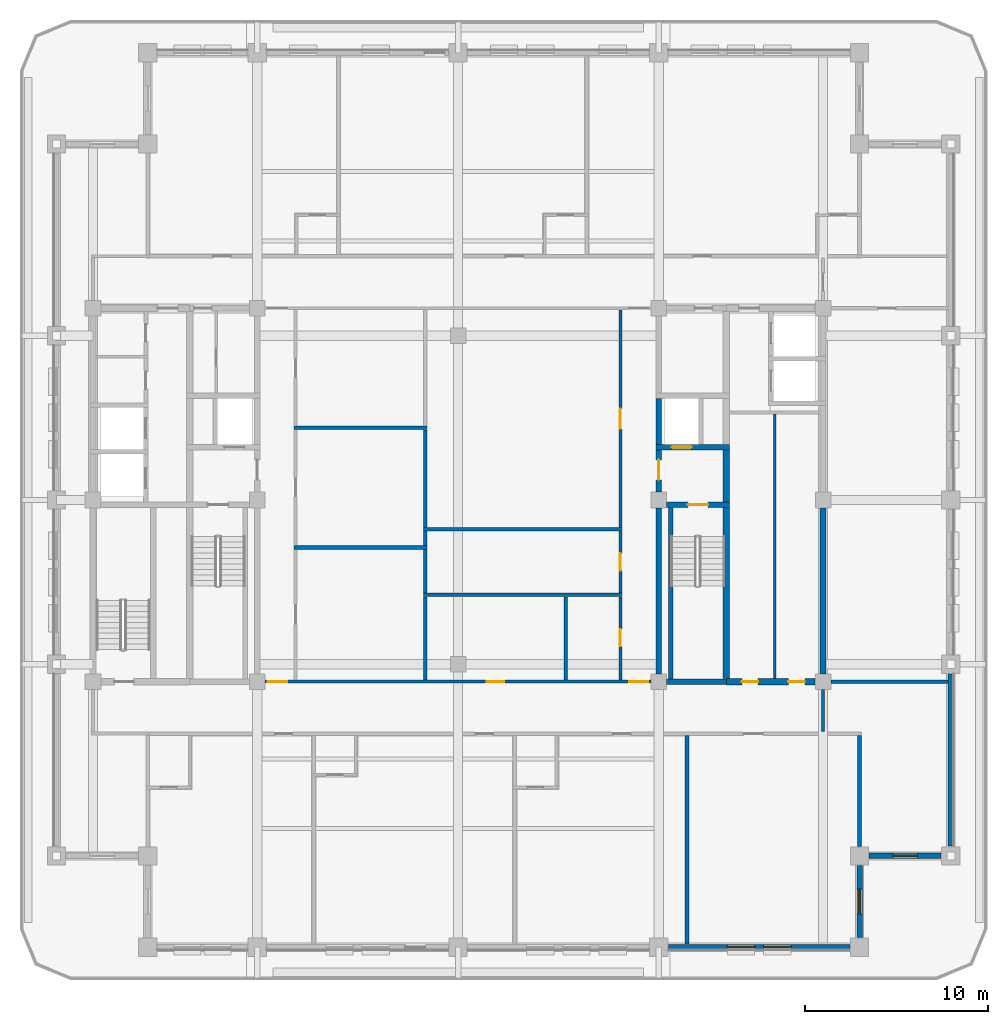
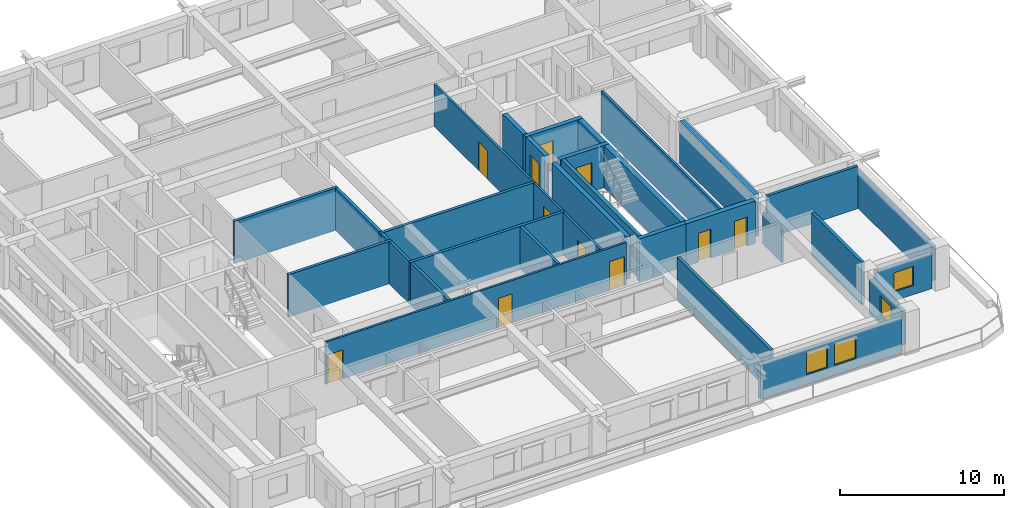
# One storey, part 4 of 13: 33 walls, 11 doors, 4 windows, 15 openings.
"""IFC4 building model written with IfcOpenShell, lengths in metres."""

from ifc_helpers import new_model, si_unit, direction, frame, frame_2d, origin, place, context, subcontext, project, spatial, rectangle, extrude, material, layer, layer_set, type_object, element, fill, save


model = new_model("IFC4")

# Units and contexts
model_context = context("Model", 3, precision=1e-05, world=origin(), true_north=direction((0.0, 1.0)))
body_context = subcontext(model_context, "Body", "Model", "MODEL_VIEW")
ifc_project = project(units=[si_unit("LENGTHUNIT", "METRE"), si_unit("AREAUNIT", "SQUARE_METRE"), si_unit("VOLUMEUNIT", "CUBIC_METRE"), si_unit("PLANEANGLEUNIT", "RADIAN"), si_unit("MASSUNIT", "GRAM", prefix="KILO")], contexts=[model_context])

# Site, building, storey
site_placement = place(None, origin())
site = spatial("IfcSite", under=ifc_project, at=site_placement, CompositionType="ELEMENT")
building_placement = place(site_placement, origin())
building = spatial("IfcBuilding", under=site, at=building_placement, Name="Zulmaris Gate Convention Tower", CompositionType="ELEMENT")
storey_placement = place(building_placement, frame((0.0, 0.0, 169.4599609375)))
storey = spatial("IfcBuildingStorey", under=building, at=storey_placement, Name="L43", CompositionType="ELEMENT", Elevation=169.4599609375)

# Walls
ifc_material_1 = material(Name="Concrete C50/60", Category="concrete")
ifc_layer_1 = layer(ifc_material_1, 0.25, Name="Concrete C50/60")
ifc_layer_set_1 = layer_set([ifc_layer_1], Name="Concrete C50/60")
wall_type_1 = type_object("IfcWallType", Name="CORE-250", PredefinedType="SOLIDWALL", material=ifc_layer_set_1)
wall_1_placement = place(storey_placement, frame((11.64990234375, -9.798095703125, 0.0), z_axis=(0.0, 0.0, 1.0), x_axis=(0.0, 1.0, 0.0)))
element("IfcWall", 1, at=wall_1_placement, inside=storey, type_object=wall_type_1, Name="WL-L43-061", PredefinedType="SOLIDWALL", context=body_context, shape_type="SweptSolid", body=[
    extrude(rectangle(XDim=9.39599609375, YDim=0.25, at=frame_2d((4.697998046875, 0.0))), origin(), (0.0, 0.0, 1.0), 3.14990234375),
])
ifc_layer_2 = layer(ifc_material_1, 0.300048828125, Name="Concrete C50/60")
ifc_layer_set_2 = layer_set([ifc_layer_2], Name="Concrete C50/60")
wall_type_2 = type_object("IfcWallType", Name="CORE-300", PredefinedType="SHEAR", material=ifc_layer_set_2)
wall_2_placement = place(storey_placement, frame((11.428955078125, -9.949951171875, 0.0), z_axis=(0.0, 0.0, 1.0), x_axis=(1.0, 0.0, 0.0)))
element("IfcWall", 2, at=wall_2_placement, inside=storey, type_object=wall_type_2, Name="WL-L43-003", PredefinedType="SHEAR", context=body_context, shape_type="SweptSolid", body=[
    extrude(rectangle(XDim=3.27099609375, YDim=0.300048828125, at=frame_2d((1.635498046875, 0.0))), origin(), (0.0, 0.0, 1.0), 3.14990234375),
])

# Wall, opening, door
wall_3_placement = place(storey_placement, frame((11.428955078125, -0.25, 0.0), z_axis=(0.0, 0.0, 1.0), x_axis=(1.0, 0.0, 0.0)))
wall_3 = element("IfcWall", 3, at=wall_3_placement, inside=storey, type_object=wall_type_2, Name="WL-L43-006", PredefinedType="SHEAR", context=body_context, shape_type="SweptSolid", body=[
    extrude(rectangle(XDim=3.446044921875, YDim=0.300048828125, at=frame_2d((1.72314453125, 0.0))), origin(), (0.0, 0.0, 1.0), 3.14990234375),
])
opening_1_placement = place(wall_3_placement, frame((1.1708984375, 0.0, 0.0)))
opening_1 = element("IfcOpeningElement", 4, at=opening_1_placement, cuts=wall_3, Name="Opening D-08", PredefinedType="OPENING", context=body_context, shape_type="SweptSolid", body=[
    extrude(rectangle(XDim=1.10009765625, YDim=2.14990234375, at=frame_2d((0.550048828125, 1.074951171875))), frame((0.0, 0.16015625, 0.0), z_axis=(0.0, -1.0, 0.0), x_axis=(1.0, 0.0, 0.0)), (0.0, 0.0, 1.0), 0.320068359375),
])
ifc_material_2 = material(Name="Fire-Rated Steel", Category="steel")
door_type_1 = type_object("IfcDoorType", Name="DR-1100-FD", OperationType="NOTDEFINED", PredefinedType="DOOR", material=ifc_material_2)
door_1_placement = place(opening_1_placement, origin())
door_1 = element("IfcDoor", 5, at=door_1_placement, inside=storey, type_object=door_type_1, Name="L43 Exit Stair ST-2 Door 04", OperationType="SINGLE_SWING_RIGHT", OverallHeight=2.14990234375, OverallWidth=1.10009765625, PredefinedType="DOOR", context=body_context, shape_type="SweptSolid", body=[
    extrude(rectangle(XDim=1.10009765625, YDim=2.14990234375, at=frame_2d((0.550048828125, 1.074951171875))), frame((0.0, 0.02490234375, 0.0), z_axis=(0.0, -1.0, 0.0), x_axis=(1.0, 0.0, 0.0)), (0.0, 0.0, 1.0), 0.050048828125),
])
fill(opening_1, door_1)

wall_4_placement = place(storey_placement, frame((10.85009765625, 2.89990234375, 0.0), z_axis=(0.0, 0.0, 1.0), x_axis=(1.0, 0.0, 0.0)))
wall_4 = element("IfcWall", 6, at=wall_4_placement, inside=storey, type_object=wall_type_2, Name="WL-L43-009", PredefinedType="SHEAR", context=body_context, shape_type="SweptSolid", body=[
    extrude(rectangle(XDim=4.02490234375, YDim=0.300048828125, at=frame_2d((2.012451171875, 0.0))), origin(), (0.0, 0.0, 1.0), 3.14990234375),
])
opening_2_placement = place(wall_4_placement, frame((0.85009765625, 0.0, 0.0)))
opening_2 = element("IfcOpeningElement", 7, at=opening_2_placement, cuts=wall_4, Name="Opening D-06", PredefinedType="OPENING", context=body_context, shape_type="SweptSolid", body=[
    extrude(rectangle(XDim=1.10009765625, YDim=2.199951171875, at=frame_2d((0.550048828125, 1.10009765625))), frame((0.0, 0.16015625, 0.0), z_axis=(0.0, -1.0, 0.0), x_axis=(1.0, 0.0, 0.0)), (0.0, 0.0, 1.0), 0.320068359375),
])
ifc_material_3 = material(Name="Brushed Stainless Steel", Category="steel")
door_type_2 = type_object("IfcDoorType", Name="LD-1100", OperationType="NOTDEFINED", PredefinedType="DOOR", material=ifc_material_3)
door_2_placement = place(opening_2_placement, origin())
door_2 = element("IfcDoor", 8, at=door_2_placement, inside=storey, type_object=door_type_2, Name="L43 Lift Landing Door LF-02 06", OperationType="SLIDING_TO_RIGHT", OverallHeight=2.199951171875, OverallWidth=1.10009765625, PredefinedType="DOOR", context=body_context, shape_type="SweptSolid", body=[
    extrude(rectangle(XDim=1.10009765625, YDim=2.199951171875, at=frame_2d((0.550048828125, 1.10009765625))), frame((0.0, 0.02490234375, 0.0), z_axis=(0.0, -1.0, 0.0), x_axis=(1.0, 0.0, 0.0)), (0.0, 0.0, 1.0), 0.050048828125),
])
fill(opening_2, door_2)

# Wall
wall_5_placement = place(storey_placement, frame((11.0, -9.52099609375, 0.0), z_axis=(0.0, 0.0, 1.0), x_axis=(0.0, 1.0, 0.0)))
element("IfcWall", 9, at=wall_5_placement, inside=storey, type_object=wall_type_2, Name="WL-L43-057", PredefinedType="SHEAR", context=body_context, shape_type="SweptSolid", body=[
    extrude(rectangle(XDim=9.092041015625, YDim=0.300048828125, at=frame_2d((4.5458984375, 0.0))), origin(), (0.0, 0.0, 1.0), 3.14990234375),
])

# Wall, opening, door
wall_6_placement = place(storey_placement, frame((11.0, 0.428955078125, 0.0), z_axis=(0.0, 0.0, 1.0), x_axis=(0.0, 1.0, 0.0)))
wall_6 = element("IfcWall", 10, at=wall_6_placement, inside=storey, type_object=wall_type_2, Name="WL-L43-058", PredefinedType="SHEAR", context=body_context, shape_type="SweptSolid", body=[
    extrude(rectangle(XDim=2.319091796875, YDim=0.300048828125, at=frame_2d((1.15966796875, 0.0))), origin(), (0.0, 0.0, 1.0), 3.14990234375),
])
opening_3_placement = place(wall_6_placement, frame((0.6708984375, 0.0, 0.0)))
opening_3 = element("IfcOpeningElement", 11, at=opening_3_placement, cuts=wall_6, Name="Opening D-08", PredefinedType="OPENING", context=body_context, shape_type="SweptSolid", body=[
    extrude(rectangle(XDim=1.10009765625, YDim=2.14990234375, at=frame_2d((0.550048828125, 1.074951171875))), frame((0.0, 0.16015625, 0.0), z_axis=(0.0, -1.0, 0.0), x_axis=(1.0, 0.0, 0.0)), (0.0, 0.0, 1.0), 0.320068359375),
])
door_3_placement = place(opening_3_placement, origin())
door_3 = element("IfcDoor", 12, at=door_3_placement, inside=storey, type_object=door_type_1, Name="L43 East Firefighting Lobby Door 05", OperationType="SINGLE_SWING_LEFT", OverallHeight=2.14990234375, OverallWidth=1.10009765625, PredefinedType="DOOR", context=body_context, shape_type="SweptSolid", body=[
    extrude(rectangle(XDim=1.10009765625, YDim=2.14990234375, at=frame_2d((0.550048828125, 1.074951171875))), frame((0.0, 0.02490234375, 0.0), z_axis=(0.0, -1.0, 0.0), x_axis=(1.0, 0.0, 0.0)), (0.0, 0.0, 1.0), 0.050048828125),
])
fill(opening_3, door_3)

# Wall
wall_7_placement = place(storey_placement, frame((11.0, 3.052001953125, 0.0), z_axis=(0.0, 0.0, 1.0), x_axis=(0.0, 1.0, 0.0)))
element("IfcWall", 13, at=wall_7_placement, inside=storey, type_object=wall_type_2, Name="WL-L43-059", PredefinedType="SHEAR", context=body_context, shape_type="SweptSolid", body=[
    extrude(rectangle(XDim=2.49609375, YDim=0.300048828125, at=frame_2d((1.248046875, 0.0))), origin(), (0.0, 0.0, 1.0), 3.14990234375),
])

# Wall, openings, doors
ifc_material_4 = material(Name="Concrete C55/67", Category="concrete")
ifc_layer_3 = layer(ifc_material_4, 0.35009765625, Name="Concrete C55/67")
ifc_layer_set_3 = layer_set([ifc_layer_3], Name="Concrete C55/67")
wall_type_3 = type_object("IfcWallType", Name="CORE-350", PredefinedType="SHEAR", material=ifc_layer_set_3)
wall_8_placement = place(storey_placement, frame((14.699951171875, -9.949951171875, 0.0), z_axis=(0.0, 0.0, 1.0), x_axis=(1.0, 0.0, 0.0)))
wall_8 = element("IfcWall", 14, at=wall_8_placement, inside=storey, type_object=wall_type_3, Name="WL-L43-004", PredefinedType="SHEAR", context=body_context, shape_type="SweptSolid", body=[
    extrude(rectangle(XDim=4.87109375, YDim=0.35009765625, at=frame_2d((2.435546875, 0.0))), origin(), (0.0, 0.0, 1.0), 3.14990234375),
])
opening_4_placement = place(wall_8_placement, frame((0.85009765625, 0.0, 0.0)))
opening_4 = element("IfcOpeningElement", 15, at=opening_4_placement, cuts=wall_8, Name="Opening D-12", PredefinedType="OPENING", context=body_context, shape_type="SweptSolid", body=[
    extrude(rectangle(XDim=0.89990234375, YDim=2.14990234375, at=frame_2d((0.449951171875, 1.074951171875))), frame((0.0, 0.18505859375, 0.0), z_axis=(0.0, -1.0, 0.0), x_axis=(1.0, 0.0, 0.0)), (0.0, 0.0, 1.0), 0.3701171875),
])
opening_5_placement = place(wall_8_placement, frame((3.39990234375, 0.0, 0.0)))
opening_5 = element("IfcOpeningElement", 16, at=opening_5_placement, cuts=wall_8, Name="Opening D-12", PredefinedType="OPENING", context=body_context, shape_type="SweptSolid", body=[
    extrude(rectangle(XDim=0.89990234375, YDim=2.14990234375, at=frame_2d((0.449951171875, 1.074951171875))), frame((0.0, 0.18505859375, 0.0), z_axis=(0.0, -1.0, 0.0), x_axis=(1.0, 0.0, 0.0)), (0.0, 0.0, 1.0), 0.3701171875),
])
ifc_material_5 = material(Name="Fire-Rated Timber", Category="wood")
door_type_3 = type_object("IfcDoorType", Name="DR-900-FD", OperationType="NOTDEFINED", PredefinedType="DOOR", material=ifc_material_5)
door_4_placement = place(opening_4_placement, origin())
door_4 = element("IfcDoor", 17, at=door_4_placement, inside=storey, type_object=door_type_3, Name="L43 Service Pantry Door 19", OperationType="SINGLE_SWING_RIGHT", OverallHeight=2.14990234375, OverallWidth=0.89990234375, PredefinedType="DOOR", context=body_context, shape_type="SweptSolid", body=[
    extrude(rectangle(XDim=0.89990234375, YDim=2.14990234375, at=frame_2d((0.449951171875, 1.074951171875))), frame((0.0, 0.02490234375, 0.0), z_axis=(0.0, -1.0, 0.0), x_axis=(1.0, 0.0, 0.0)), (0.0, 0.0, 1.0), 0.050048828125),
])
fill(opening_4, door_4)
door_5_placement = place(opening_5_placement, origin())
door_5 = element("IfcDoor", 18, at=door_5_placement, inside=storey, type_object=door_type_3, Name="L43 Linen Store Door 20", OperationType="SINGLE_SWING_LEFT", OverallHeight=2.14990234375, OverallWidth=0.89990234375, PredefinedType="DOOR", context=body_context, shape_type="SweptSolid", body=[
    extrude(rectangle(XDim=0.89990234375, YDim=2.14990234375, at=frame_2d((0.449951171875, 1.074951171875))), frame((0.0, 0.02490234375, 0.0), z_axis=(0.0, -1.0, 0.0), x_axis=(1.0, 0.0, 0.0)), (0.0, 0.0, 1.0), 0.050048828125),
])
fill(opening_5, door_5)

# Walls
wall_9_placement = place(storey_placement, frame((14.699951171875, -9.77294921875, 0.0), z_axis=(0.0, 0.0, 1.0), x_axis=(0.0, 1.0, 0.0)))
element("IfcWall", 19, at=wall_9_placement, inside=storey, type_object=wall_type_3, Name="WL-L43-063", PredefinedType="SHEAR", context=body_context, shape_type="SweptSolid", body=[
    extrude(rectangle(XDim=9.370849609375, YDim=0.35009765625, at=frame_2d((4.685546875, 0.0))), origin(), (0.0, 0.0, 1.0), 3.14990234375),
])
wall_10_placement = place(storey_placement, frame((14.699951171875, -0.097900390625, 0.0), z_axis=(0.0, 0.0, 1.0), x_axis=(0.0, 1.0, 0.0)))
element("IfcWall", 20, at=wall_10_placement, inside=storey, type_object=wall_type_3, Name="WL-L43-064", PredefinedType="SHEAR", context=body_context, shape_type="SweptSolid", body=[
    extrude(rectangle(XDim=2.845947265625, YDim=0.35009765625, at=frame_2d((1.4228515625, 0.0))), origin(), (0.0, 0.0, 1.0), 3.14990234375),
])
wall_11_placement = place(storey_placement, frame((20.0, -9.52099609375, 0.0), z_axis=(0.0, 0.0, 1.0), x_axis=(0.0, 1.0, 0.0)))
element("IfcWall", 21, at=wall_11_placement, inside=storey, type_object=wall_type_3, Name="WL-L43-069", PredefinedType="SHEAR", context=body_context, shape_type="SweptSolid", body=[
    extrude(rectangle(XDim=9.092041015625, YDim=0.35009765625, at=frame_2d((4.5458984375, 0.0))), origin(), (0.0, 0.0, 1.0), 3.14990234375),
])

# Wall, openings, doors
ifc_material_6 = material(Name="Gypsum Metal Stud Partition")
ifc_layer_4 = layer(ifc_material_6, 0.14990234375, Name="Gypsum Metal Stud Partition")
ifc_layer_set_4 = layer_set([ifc_layer_4], Name="Gypsum Metal Stud Partition")
wall_type_4 = type_object("IfcWallType", Name="PART-150", PredefinedType="PARTITIONING", material=ifc_layer_set_4)
wall_12_placement = place(storey_placement, frame((-10.569091796875, -9.949951171875, 0.0), z_axis=(0.0, 0.0, 1.0), x_axis=(1.0, 0.0, 0.0)))
wall_12 = element("IfcWall", 22, at=wall_12_placement, inside=storey, type_object=wall_type_4, Name="WL-L43-024", PredefinedType="PARTITIONING", context=body_context, shape_type="SweptSolid", body=[
    extrude(rectangle(XDim=21.13818359375, YDim=0.14990234375, at=frame_2d((10.569091796875, 0.0))), origin(), (0.0, 0.0, 1.0), 3.14990234375),
])
opening_6_placement = place(wall_12_placement, frame((0.14990234375, 0.0, 0.0)))
opening_6 = element("IfcOpeningElement", 23, at=opening_6_placement, cuts=wall_12, Name="Opening D-09", PredefinedType="OPENING", context=body_context, shape_type="SweptSolid", body=[
    extrude(rectangle(XDim=1.050048828125, YDim=2.14990234375, at=frame_2d((0.52490234375, 1.074951171875))), frame((0.0, 0.0849609375, 0.0), z_axis=(0.0, -1.0, 0.0), x_axis=(1.0, 0.0, 0.0)), (0.0, 0.0, 1.0), 0.169921875),
])
opening_7_placement = place(wall_12_placement, frame((19.93798828125, 0.0, 0.0)))
opening_7 = element("IfcOpeningElement", 24, at=opening_7_placement, cuts=wall_12, Name="Opening D-09", PredefinedType="OPENING", context=body_context, shape_type="SweptSolid", body=[
    extrude(rectangle(XDim=1.050048828125, YDim=2.14990234375, at=frame_2d((0.52490234375, 1.074951171875))), frame((0.0, 0.0849609375, 0.0), z_axis=(0.0, -1.0, 0.0), x_axis=(1.0, 0.0, 0.0)), (0.0, 0.0, 1.0), 0.169921875),
])
opening_8_placement = place(wall_12_placement, frame((12.14404296875, 0.0, 0.0)))
opening_8 = element("IfcOpeningElement", 25, at=opening_8_placement, cuts=wall_12, Name="Opening D-11", PredefinedType="OPENING", context=body_context, shape_type="SweptSolid", body=[
    extrude(rectangle(XDim=0.949951171875, YDim=2.14990234375, at=frame_2d((0.47509765625, 1.074951171875))), frame((0.0, 0.0849609375, 0.0), z_axis=(0.0, -1.0, 0.0), x_axis=(1.0, 0.0, 0.0)), (0.0, 0.0, 1.0), 0.169921875),
])
door_type_4 = type_object("IfcDoorType", Name="DR-1050-FD", OperationType="NOTDEFINED", PredefinedType="DOOR", material=ifc_material_2)
door_6_placement = place(opening_6_placement, origin())
door_6 = element("IfcDoor", 26, at=door_6_placement, inside=storey, type_object=door_type_4, Name="L43 SW Hotel Loop Door 22", OperationType="SINGLE_SWING_LEFT", OverallHeight=2.14990234375, OverallWidth=1.050048828125, PredefinedType="DOOR", context=body_context, shape_type="SweptSolid", body=[
    extrude(rectangle(XDim=1.050048828125, YDim=2.14990234375, at=frame_2d((0.52490234375, 1.074951171875))), frame((0.0, 0.02490234375, 0.0), z_axis=(0.0, -1.0, 0.0), x_axis=(1.0, 0.0, 0.0)), (0.0, 0.0, 1.0), 0.050048828125),
])
fill(opening_6, door_6)
door_7_placement = place(opening_7_placement, origin())
door_7 = element("IfcDoor", 27, at=door_7_placement, inside=storey, type_object=door_type_4, Name="L43 SE Hotel Loop Door 24", OperationType="SINGLE_SWING_LEFT", OverallHeight=2.14990234375, OverallWidth=1.050048828125, PredefinedType="DOOR", context=body_context, shape_type="SweptSolid", body=[
    extrude(rectangle(XDim=1.050048828125, YDim=2.14990234375, at=frame_2d((0.52490234375, 1.074951171875))), frame((0.0, 0.02490234375, 0.0), z_axis=(0.0, -1.0, 0.0), x_axis=(1.0, 0.0, 0.0)), (0.0, 0.0, 1.0), 0.050048828125),
])
fill(opening_7, door_7)
door_type_5 = type_object("IfcDoorType", Name="DR-950-FD", OperationType="NOTDEFINED", PredefinedType="DOOR", material=ifc_material_5)
door_8_placement = place(opening_8_placement, origin())
door_8 = element("IfcDoor", 28, at=door_8_placement, inside=storey, type_object=door_type_5, Name="L43 Staging Store Door 44", OperationType="SINGLE_SWING_LEFT", OverallHeight=2.14990234375, OverallWidth=0.949951171875, PredefinedType="DOOR", context=body_context, shape_type="SweptSolid", body=[
    extrude(rectangle(XDim=0.949951171875, YDim=2.14990234375, at=frame_2d((0.47509765625, 1.074951171875))), frame((0.0, 0.02490234375, 0.0), z_axis=(0.0, -1.0, 0.0), x_axis=(1.0, 0.0, 0.0)), (0.0, 0.0, 1.0), 0.050048828125),
])
fill(opening_8, door_8)

# Wall, opening, door
wall_13_placement = place(storey_placement, frame((8.89990234375, -9.8720703125, 0.0), z_axis=(0.0, 0.0, 1.0), x_axis=(0.0, 1.0, 0.0)))
wall_13 = element("IfcWall", 29, at=wall_13_placement, inside=storey, type_object=wall_type_4, Name="WL-L43-102", PredefinedType="PARTITIONING", context=body_context, shape_type="SweptSolid", body=[
    extrude(rectangle(XDim=4.569091796875, YDim=0.14990234375, at=frame_2d((2.28466796875, 0.0))), origin(), (0.0, 0.0, 1.0), 3.14990234375),
])
opening_9_placement = place(wall_13_placement, frame((1.846923828125, 0.0, 0.0)))
opening_9 = element("IfcOpeningElement", 30, at=opening_9_placement, cuts=wall_13, Name="Opening D-11", PredefinedType="OPENING", context=body_context, shape_type="SweptSolid", body=[
    extrude(rectangle(XDim=0.949951171875, YDim=2.14990234375, at=frame_2d((0.47509765625, 1.074951171875))), frame((0.0, 0.0849609375, 0.0), z_axis=(0.0, -1.0, 0.0), x_axis=(1.0, 0.0, 0.0)), (0.0, 0.0, 1.0), 0.169921875),
])
door_9_placement = place(opening_9_placement, origin())
door_9 = element("IfcDoor", 31, at=door_9_placement, inside=storey, type_object=door_type_5, Name="L43 Accessible WC Door 43", OperationType="SINGLE_SWING_RIGHT", OverallHeight=2.14990234375, OverallWidth=0.949951171875, PredefinedType="DOOR", context=body_context, shape_type="SweptSolid", body=[
    extrude(rectangle(XDim=0.949951171875, YDim=2.14990234375, at=frame_2d((0.47509765625, 1.074951171875))), frame((0.0, 0.02490234375, 0.0), z_axis=(0.0, -1.0, 0.0), x_axis=(1.0, 0.0, 0.0)), (0.0, 0.0, 1.0), 0.050048828125),
])
fill(opening_9, door_9)

wall_14_placement = place(storey_placement, frame((8.89990234375, -5.096923828125, 0.0), z_axis=(0.0, 0.0, 1.0), x_axis=(0.0, 1.0, 0.0)))
wall_14 = element("IfcWall", 32, at=wall_14_placement, inside=storey, type_object=wall_type_4, Name="WL-L43-103", PredefinedType="PARTITIONING", context=body_context, shape_type="SweptSolid", body=[
    extrude(rectangle(XDim=3.39404296875, YDim=0.14990234375, at=frame_2d((1.697021484375, 0.0))), origin(), (0.0, 0.0, 1.0), 3.14990234375),
])
opening_10_placement = place(wall_14_placement, frame((1.221923828125, 0.0, 0.0)))
opening_10 = element("IfcOpeningElement", 33, at=opening_10_placement, cuts=wall_14, Name="Opening D-11", PredefinedType="OPENING", context=body_context, shape_type="SweptSolid", body=[
    extrude(rectangle(XDim=0.949951171875, YDim=2.14990234375, at=frame_2d((0.47509765625, 1.074951171875))), frame((0.0, 0.0849609375, 0.0), z_axis=(0.0, -1.0, 0.0), x_axis=(1.0, 0.0, 0.0)), (0.0, 0.0, 1.0), 0.169921875),
])
door_10_placement = place(opening_10_placement, origin())
door_10 = element("IfcDoor", 34, at=door_10_placement, inside=storey, type_object=door_type_5, Name="L43 Public WC Door 42", OperationType="SINGLE_SWING_LEFT", OverallHeight=2.14990234375, OverallWidth=0.949951171875, PredefinedType="DOOR", context=body_context, shape_type="SweptSolid", body=[
    extrude(rectangle(XDim=0.949951171875, YDim=2.14990234375, at=frame_2d((0.47509765625, 1.074951171875))), frame((0.0, 0.02490234375, 0.0), z_axis=(0.0, -1.0, 0.0), x_axis=(1.0, 0.0, 0.0)), (0.0, 0.0, 1.0), 0.050048828125),
])
fill(opening_10, door_10)

wall_15_placement = place(storey_placement, frame((8.89990234375, -1.4970703125, 0.0), z_axis=(0.0, 0.0, 1.0), x_axis=(0.0, 1.0, 0.0)))
wall_15 = element("IfcWall", 35, at=wall_15_placement, inside=storey, type_object=wall_type_4, Name="WL-L43-104", PredefinedType="PARTITIONING", context=body_context, shape_type="SweptSolid", body=[
    extrude(rectangle(XDim=11.919189453125, YDim=0.14990234375, at=frame_2d((5.95947265625, 0.0))), origin(), (0.0, 0.0, 1.0), 3.14990234375),
])
opening_11_placement = place(wall_15_placement, frame((5.39697265625, 0.0, 0.0)))
opening_11 = element("IfcOpeningElement", 36, at=opening_11_placement, cuts=wall_15, Name="Opening D-08", PredefinedType="OPENING", context=body_context, shape_type="SweptSolid", body=[
    extrude(rectangle(XDim=1.10009765625, YDim=2.14990234375, at=frame_2d((0.550048828125, 1.074951171875))), frame((0.0, 0.0849609375, 0.0), z_axis=(0.0, -1.0, 0.0), x_axis=(1.0, 0.0, 0.0)), (0.0, 0.0, 1.0), 0.169921875),
])
door_11_placement = place(opening_11_placement, origin())
door_11 = element("IfcDoor", 37, at=door_11_placement, inside=storey, type_object=door_type_1, Name="L43 Breakout Room Door 41", OperationType="SINGLE_SWING_RIGHT", OverallHeight=2.14990234375, OverallWidth=1.10009765625, PredefinedType="DOOR", context=body_context, shape_type="SweptSolid", body=[
    extrude(rectangle(XDim=1.10009765625, YDim=2.14990234375, at=frame_2d((0.550048828125, 1.074951171875))), frame((0.0, 0.02490234375, 0.0), z_axis=(0.0, -1.0, 0.0), x_axis=(1.0, 0.0, 0.0)), (0.0, 0.0, 1.0), 0.050048828125),
])
fill(opening_11, door_11)

# Walls
wall_16_placement = place(storey_placement, frame((17.35009765625, -9.77197265625, 0.0), z_axis=(0.0, 0.0, 1.0), x_axis=(0.0, 1.0, 0.0)))
element("IfcWall", 38, at=wall_16_placement, inside=storey, type_object=wall_type_4, Name="WL-L43-106", PredefinedType="PARTITIONING", context=body_context, shape_type="SweptSolid", body=[
    extrude(rectangle(XDim=14.493896484375, YDim=0.14990234375, at=frame_2d((7.2470703125, 0.0))), origin(), (0.0, 0.0, 1.0), 3.14990234375),
])
wall_17_placement = place(storey_placement, frame((20.0, -12.697021484375, 0.0), z_axis=(0.0, 0.0, 1.0), x_axis=(0.0, 1.0, 0.0)))
element("IfcWall", 39, at=wall_17_placement, inside=storey, type_object=wall_type_4, Name="WL-L43-108", PredefinedType="PARTITIONING", context=body_context, shape_type="SweptSolid", body=[
    extrude(rectangle(XDim=2.31591796875, YDim=0.14990234375, at=frame_2d((1.157958984375, 0.0))), origin(), (0.0, 0.0, 1.0), 2.342041015625),
])
ifc_material_7 = material(Name="Autoclaved Aerated Concrete Block and Plasterboard", Category="concrete")
ifc_layer_5 = layer(ifc_material_7, 0.199951171875, Name="Autoclaved Aerated Concrete Block and Plasterboard")
ifc_layer_set_5 = layer_set([ifc_layer_5], Name="Autoclaved Aerated Concrete Block and Plasterboard")
wall_type_5 = type_object("IfcWallType", Name="PART-200", PredefinedType="PARTITIONING", material=ifc_layer_set_5)
wall_18_placement = place(storey_placement, frame((20.430908203125, -9.949951171875, 0.0), z_axis=(0.0, 0.0, 1.0), x_axis=(1.0, 0.0, 0.0)))
element("IfcWall", 40, at=wall_18_placement, inside=storey, type_object=wall_type_5, Name="WL-L43-025", PredefinedType="PARTITIONING", context=body_context, shape_type="SweptSolid", body=[
    extrude(rectangle(XDim=6.404052734375, YDim=0.199951171875, at=frame_2d((3.2021484375, 0.0))), origin(), (0.0, 0.0, 1.0), 3.14990234375),
])
wall_19_placement = place(storey_placement, frame((-1.89990234375, -5.199951171875, 0.0), z_axis=(0.0, 0.0, 1.0), x_axis=(1.0, 0.0, 0.0)))
element("IfcWall", 41, at=wall_19_placement, inside=storey, type_object=wall_type_5, Name="WL-L43-026", PredefinedType="PARTITIONING", context=body_context, shape_type="SweptSolid", body=[
    extrude(rectangle(XDim=10.875, YDim=0.199951171875, at=frame_2d((5.4375, 0.0))), origin(), (0.0, 0.0, 1.0), 3.14990234375),
])
wall_20_placement = place(storey_placement, frame((-8.97509765625, -2.60009765625, 0.0), z_axis=(0.0, 0.0, 1.0), x_axis=(1.0, 0.0, 0.0)))
element("IfcWall", 42, at=wall_20_placement, inside=storey, type_object=wall_type_5, Name="WL-L43-027", PredefinedType="PARTITIONING", context=body_context, shape_type="SweptSolid", body=[
    extrude(rectangle(XDim=7.275146484375, YDim=0.199951171875, at=frame_2d((3.6376953125, 0.0))), origin(), (0.0, 0.0, 1.0), 3.14990234375),
])
wall_21_placement = place(storey_placement, frame((-1.89990234375, -1.60009765625, 0.0), z_axis=(0.0, 0.0, 1.0), x_axis=(1.0, 0.0, 0.0)))
element("IfcWall", 43, at=wall_21_placement, inside=storey, type_object=wall_type_5, Name="WL-L43-028", PredefinedType="PARTITIONING", context=body_context, shape_type="SweptSolid", body=[
    extrude(rectangle(XDim=10.875, YDim=0.199951171875, at=frame_2d((5.4375, 0.0))), origin(), (0.0, 0.0, 1.0), 3.14990234375),
])
wall_22_placement = place(storey_placement, frame((-8.97509765625, 3.949951171875, 0.0), z_axis=(0.0, 0.0, 1.0), x_axis=(1.0, 0.0, 0.0)))
element("IfcWall", 44, at=wall_22_placement, inside=storey, type_object=wall_type_5, Name="WL-L43-029", PredefinedType="PARTITIONING", context=body_context, shape_type="SweptSolid", body=[
    extrude(rectangle(XDim=7.275146484375, YDim=0.199951171875, at=frame_2d((3.6376953125, 0.0))), origin(), (0.0, 0.0, 1.0), 3.14990234375),
])
wall_23_placement = place(storey_placement, frame((-1.800048828125, -9.8720703125, 0.0), z_axis=(0.0, 0.0, 1.0), x_axis=(0.0, 1.0, 0.0)))
element("IfcWall", 45, at=wall_23_placement, inside=storey, type_object=wall_type_5, Name="WL-L43-090", PredefinedType="PARTITIONING", context=body_context, shape_type="SweptSolid", body=[
    extrude(rectangle(XDim=4.569091796875, YDim=0.199951171875, at=frame_2d((2.28466796875, 0.0))), origin(), (0.0, 0.0, 1.0), 3.14990234375),
])
wall_24_placement = place(storey_placement, frame((-1.800048828125, -5.096923828125, 0.0), z_axis=(0.0, 0.0, 1.0), x_axis=(0.0, 1.0, 0.0)))
element("IfcWall", 46, at=wall_24_placement, inside=storey, type_object=wall_type_5, Name="WL-L43-091", PredefinedType="PARTITIONING", context=body_context, shape_type="SweptSolid", body=[
    extrude(rectangle(XDim=2.39404296875, YDim=0.199951171875, at=frame_2d((1.197021484375, 0.0))), origin(), (0.0, 0.0, 1.0), 3.14990234375),
])
wall_25_placement = place(storey_placement, frame((-1.800048828125, -2.4970703125, 0.0), z_axis=(0.0, 0.0, 1.0), x_axis=(0.0, 1.0, 0.0)))
element("IfcWall", 47, at=wall_25_placement, inside=storey, type_object=wall_type_5, Name="WL-L43-092", PredefinedType="PARTITIONING", context=body_context, shape_type="SweptSolid", body=[
    extrude(rectangle(XDim=0.794189453125, YDim=0.199951171875, at=frame_2d((0.39697265625, 0.0))), origin(), (0.0, 0.0, 1.0), 3.14990234375),
])
wall_26_placement = place(storey_placement, frame((-1.800048828125, -1.4970703125, 0.0), z_axis=(0.0, 0.0, 1.0), x_axis=(0.0, 1.0, 0.0)))
element("IfcWall", 48, at=wall_26_placement, inside=storey, type_object=wall_type_5, Name="WL-L43-093", PredefinedType="PARTITIONING", context=body_context, shape_type="SweptSolid", body=[
    extrude(rectangle(XDim=5.343994140625, YDim=0.199951171875, at=frame_2d((2.671875, 0.0))), origin(), (0.0, 0.0, 1.0), 3.14990234375),
])
wall_27_placement = place(storey_placement, frame((5.89990234375, -9.8720703125, 0.0), z_axis=(0.0, 0.0, 1.0), x_axis=(0.0, 1.0, 0.0)))
element("IfcWall", 49, at=wall_27_placement, inside=storey, type_object=wall_type_5, Name="WL-L43-099", PredefinedType="PARTITIONING", context=body_context, shape_type="SweptSolid", body=[
    extrude(rectangle(XDim=4.569091796875, YDim=0.199951171875, at=frame_2d((2.28466796875, 0.0))), origin(), (0.0, 0.0, 1.0), 3.14990234375),
])
wall_28_placement = place(storey_placement, frame((12.550048828125, -24.3349609375, 0.0), z_axis=(0.0, 0.0, 1.0), x_axis=(0.0, 1.0, 0.0)))
element("IfcWall", 50, at=wall_28_placement, inside=storey, type_object=wall_type_5, Name="WL-L43-105", PredefinedType="PARTITIONING", context=body_context, shape_type="SweptSolid", body=[
    extrude(rectangle(XDim=11.431884765625, YDim=0.199951171875, at=frame_2d((5.7158203125, 0.0))), origin(), (0.0, 0.0, 1.0), 3.14990234375),
])
wall_29_placement = place(storey_placement, frame((22.0, -18.993896484375, 0.0), z_axis=(0.0, 0.0, 1.0), x_axis=(0.0, 1.0, 0.0)))
element("IfcWall", 51, at=wall_29_placement, inside=storey, type_object=wall_type_5, Name="WL-L43-110", PredefinedType="PARTITIONING", context=body_context, shape_type="SweptSolid", body=[
    extrude(rectangle(XDim=6.0908203125, YDim=0.199951171875, at=frame_2d((3.04541015625, 0.0))), origin(), (0.0, 0.0, 1.0), 3.14990234375),
])

# Wall, opening, window
ifc_material_8 = material(Name="Precast concrete C40/50", Category="concrete")
ifc_layer_6 = layer(ifc_material_8, 0.300048828125, Name="Precast concrete C40/50")
ifc_layer_set_6 = layer_set([ifc_layer_6], Name="Precast concrete C40/50")
wall_type_6 = type_object("IfcWallType", Name="PRECAST-PIER-300", PredefinedType="STANDARD", material=ifc_layer_set_6)
wall_30_placement = place(storey_placement, frame((22.0, -23.969970703125, 0.0), z_axis=(0.0, 0.0, 1.0), x_axis=(0.0, 1.0, 0.0)))
wall_30 = element("IfcWall", 52, at=wall_30_placement, inside=storey, type_object=wall_type_6, Name="EW-L43-NOTCH-SE1_0", PredefinedType="STANDARD", context=body_context, shape_type="SweptSolid", body=[
    extrude(rectangle(XDim=3.93994140625, YDim=0.300048828125, at=frame_2d((1.969970703125, 0.0))), origin(), (0.0, 0.0, 1.0), 2.5419921875),
])
opening_12_placement = place(wall_30_placement, frame((1.294921875, 0.0, 0.679931640625)))
opening_12 = element("IfcOpeningElement", 53, at=opening_12_placement, cuts=wall_30, Name="Opening W-10", PredefinedType="OPENING", context=body_context, shape_type="SweptSolid", body=[
    extrude(rectangle(XDim=1.35009765625, YDim=1.419921875, at=frame_2d((0.675048828125, 0.7099609375))), frame((0.0, 0.16015625, 0.0), z_axis=(0.0, -1.0, 0.0), x_axis=(1.0, 0.0, 0.0)), (0.0, 0.0, 1.0), 0.320068359375),
])
ifc_material_9 = material(Name="Low-E Laminated Double Glazing in Aluminium Frame", Category="aluminium")
window_type_1 = type_object("IfcWindowType", Name="WIN-1350x2000", PartitioningType="SINGLE_PANEL", PredefinedType="WINDOW", material=ifc_material_9)
window_1_placement = place(opening_12_placement, origin())
window_1 = element("IfcWindow", 54, at=window_1_placement, inside=storey, type_object=window_type_1, Name="WN-EW-L43-NOTCH-SE1_0", OverallHeight=1.419921875, OverallWidth=1.35009765625, PartitioningType="SINGLE_PANEL", PredefinedType="WINDOW", context=body_context, shape_type="SweptSolid", body=[
    extrude(rectangle(XDim=1.35009765625, YDim=1.419921875, at=frame_2d((0.675048828125, 0.7099609375))), frame((0.0, 0.030029296875, 0.0), z_axis=(0.0, -1.0, 0.0), x_axis=(1.0, 0.0, 0.0)), (0.0, 0.0, 1.0), 0.06005859375),
])
fill(opening_12, window_1)

wall_31_placement = place(storey_placement, frame((22.530029296875, -19.5, 0.0), z_axis=(0.0, 0.0, 1.0), x_axis=(1.0, 0.0, 0.0)))
wall_31 = element("IfcWall", 55, at=wall_31_placement, inside=storey, type_object=wall_type_6, Name="EW-L43-NOTCH-SE2_0", PredefinedType="STANDARD", context=body_context, shape_type="SweptSolid", body=[
    extrude(rectangle(XDim=3.93994140625, YDim=0.300048828125, at=frame_2d((1.969970703125, 0.0))), origin(), (0.0, 0.0, 1.0), 2.5419921875),
])
opening_13_placement = place(wall_31_placement, frame((1.294921875, 0.0, 0.679931640625)))
opening_13 = element("IfcOpeningElement", 56, at=opening_13_placement, cuts=wall_31, Name="Opening W-10", PredefinedType="OPENING", context=body_context, shape_type="SweptSolid", body=[
    extrude(rectangle(XDim=1.35009765625, YDim=1.419921875, at=frame_2d((0.675048828125, 0.7099609375))), frame((0.0, 0.16015625, 0.0), z_axis=(0.0, -1.0, 0.0), x_axis=(1.0, 0.0, 0.0)), (0.0, 0.0, 1.0), 0.320068359375),
])
window_2_placement = place(opening_13_placement, origin())
window_2 = element("IfcWindow", 57, at=window_2_placement, inside=storey, type_object=window_type_1, Name="WN-EW-L43-NOTCH-SE2_0", OverallHeight=1.419921875, OverallWidth=1.35009765625, PartitioningType="SINGLE_PANEL", PredefinedType="WINDOW", context=body_context, shape_type="SweptSolid", body=[
    extrude(rectangle(XDim=1.35009765625, YDim=1.419921875, at=frame_2d((0.675048828125, 0.7099609375))), frame((0.0, 0.030029296875, 0.0), z_axis=(0.0, -1.0, 0.0), x_axis=(1.0, 0.0, 0.0)), (0.0, 0.0, 1.0), 0.06005859375),
])
fill(opening_13, window_2)

# Wall, openings, windows
wall_32_placement = place(storey_placement, frame((11.530029296875, -24.5, 0.0), z_axis=(0.0, 0.0, 1.0), x_axis=(1.0, 0.0, 0.0)))
wall_32 = element("IfcWall", 58, at=wall_32_placement, inside=storey, type_object=wall_type_6, Name="EW-L43-S-3_0", PredefinedType="STANDARD", context=body_context, shape_type="SweptSolid", body=[
    extrude(rectangle(XDim=9.93994140625, YDim=0.300048828125, at=frame_2d((4.969970703125, 0.0))), origin(), (0.0, 0.0, 1.0), 2.5419921875),
])
opening_14_placement = place(wall_32_placement, frame((3.22607421875, 0.0, 0.719970703125)))
opening_14 = element("IfcOpeningElement", 59, at=opening_14_placement, cuts=wall_32, Name="Opening W-03", PredefinedType="OPENING", context=body_context, shape_type="SweptSolid", body=[
    extrude(rectangle(XDim=1.5, YDim=1.60009765625, at=frame_2d((0.75, 0.800048828125))), frame((0.0, 0.16015625, 0.0), z_axis=(0.0, -1.0, 0.0), x_axis=(1.0, 0.0, 0.0)), (0.0, 0.0, 1.0), 0.320068359375),
])
opening_15_placement = place(wall_32_placement, frame((5.214111328125, 0.0, 0.719970703125)))
opening_15 = element("IfcOpeningElement", 60, at=opening_15_placement, cuts=wall_32, Name="Opening W-03", PredefinedType="OPENING", context=body_context, shape_type="SweptSolid", body=[
    extrude(rectangle(XDim=1.5, YDim=1.60009765625, at=frame_2d((0.75, 0.800048828125))), frame((0.0, 0.16015625, 0.0), z_axis=(0.0, -1.0, 0.0), x_axis=(1.0, 0.0, 0.0)), (0.0, 0.0, 1.0), 0.320068359375),
])
window_type_2 = type_object("IfcWindowType", Name="WIN-1500x2100", PartitioningType="SINGLE_PANEL", PredefinedType="WINDOW", material=ifc_material_9)
window_3_placement = place(opening_14_placement, origin())
window_3 = element("IfcWindow", 61, at=window_3_placement, inside=storey, type_object=window_type_2, Name="WN-EW-L43-S-3_0-2", OverallHeight=1.60009765625, OverallWidth=1.5, PartitioningType="SINGLE_PANEL", PredefinedType="WINDOW", context=body_context, shape_type="SweptSolid", body=[
    extrude(rectangle(XDim=1.5, YDim=1.60009765625, at=frame_2d((0.75, 0.800048828125))), frame((0.0, 0.030029296875, 0.0), z_axis=(0.0, -1.0, 0.0), x_axis=(1.0, 0.0, 0.0)), (0.0, 0.0, 1.0), 0.06005859375),
])
fill(opening_14, window_3)
window_4_placement = place(opening_15_placement, origin())
window_4 = element("IfcWindow", 62, at=window_4_placement, inside=storey, type_object=window_type_2, Name="WN-EW-L43-S-3_0-3", OverallHeight=1.60009765625, OverallWidth=1.5, PartitioningType="SINGLE_PANEL", PredefinedType="WINDOW", context=body_context, shape_type="SweptSolid", body=[
    extrude(rectangle(XDim=1.5, YDim=1.60009765625, at=frame_2d((0.75, 0.800048828125))), frame((0.0, 0.030029296875, 0.0), z_axis=(0.0, -1.0, 0.0), x_axis=(1.0, 0.0, 0.0)), (0.0, 0.0, 1.0), 0.06005859375),
])
fill(opening_15, window_4)

# Wall
wall_33_placement = place(storey_placement, frame((27.0, -18.969970703125, 0.0), z_axis=(0.0, 0.0, 1.0), x_axis=(0.0, 1.0, 0.0)))
element("IfcWall", 63, at=wall_33_placement, inside=storey, type_object=wall_type_6, Name="EW-L43-E-0_0", PredefinedType="STANDARD", context=body_context, shape_type="SweptSolid", body=[
    extrude(rectangle(XDim=9.43994140625, YDim=0.300048828125, at=frame_2d((4.719970703125, 0.0))), origin(), (0.0, 0.0, 1.0), 2.5419921875),
])

save(model, "model.ifc")
